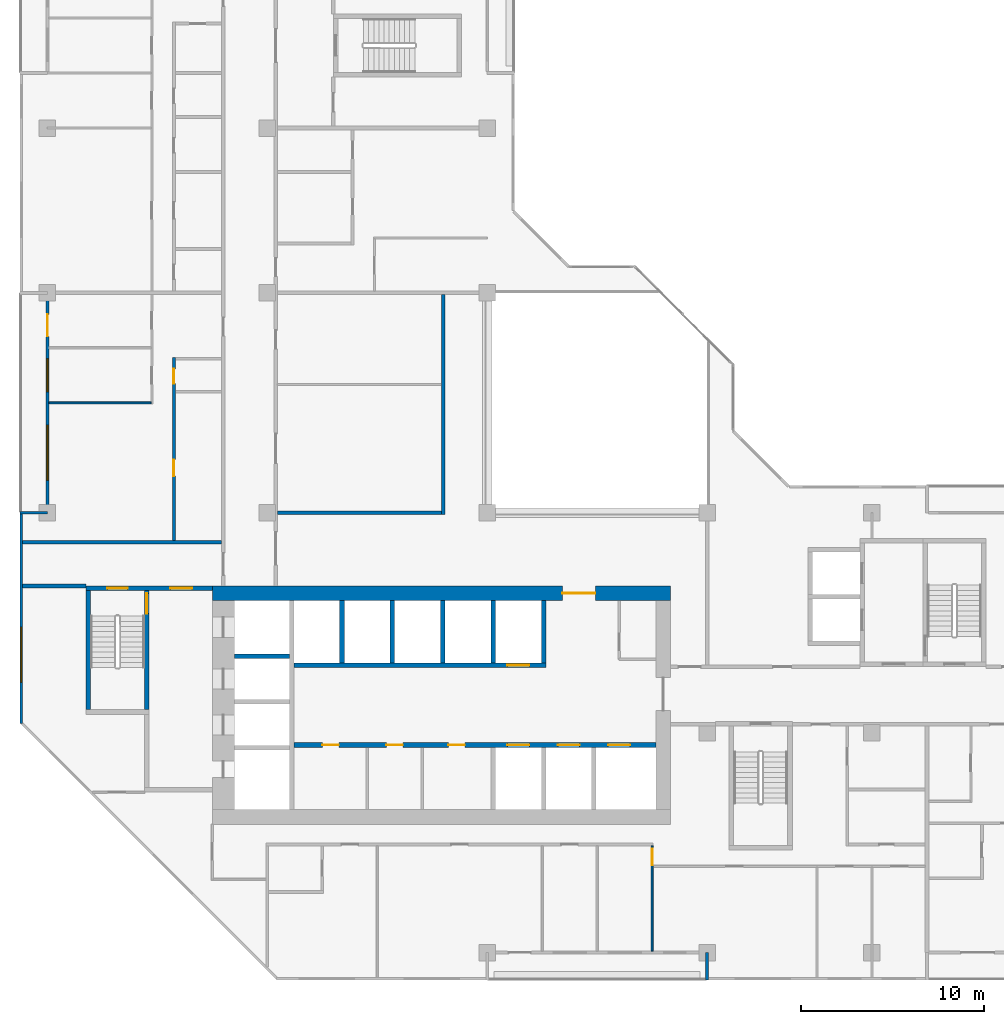
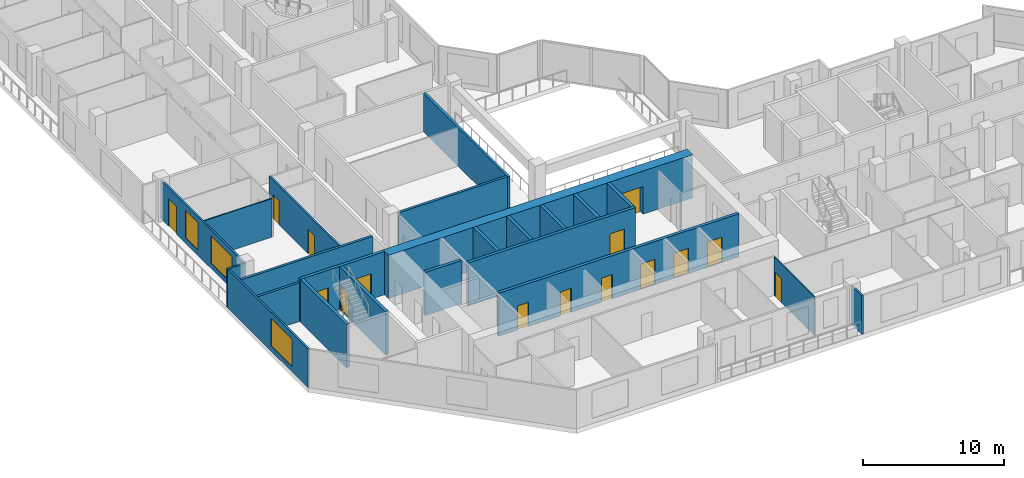
# One storey, part 5 of 15: 23 walls, 15 doors, 3 windows, 18 openings.
"""IFC4 building model written with IfcOpenShell, lengths in metres."""

from ifc_helpers import new_model, si_unit, direction, frame, frame_2d, origin, place, context, subcontext, project, spatial, rectangle, extrude, material, layer, layer_set, type_object, element, fill, save


model = new_model("IFC4")

# Units and contexts
model_context = context("Model", 3, precision=1e-05, world=origin(), true_north=direction((0.0, 1.0)))
body_context = subcontext(model_context, "Body", "Model", "MODEL_VIEW")
ifc_project = project(units=[si_unit("LENGTHUNIT", "METRE"), si_unit("AREAUNIT", "SQUARE_METRE"), si_unit("VOLUMEUNIT", "CUBIC_METRE"), si_unit("PLANEANGLEUNIT", "RADIAN"), si_unit("MASSUNIT", "GRAM", prefix="KILO")], contexts=[model_context])

# Site, building, storey
site_placement = place(None, origin())
site = spatial("IfcSite", under=ifc_project, at=site_placement, CompositionType="ELEMENT")
building_placement = place(site_placement, origin())
building = spatial("IfcBuilding", under=site, at=building_placement, Name="Chenar Terraces", CompositionType="ELEMENT")
storey_placement = place(building_placement, frame((0.0, 0.0, 191.14990234375)))
storey = spatial("IfcBuildingStorey", under=building, at=storey_placement, Name="L44", CompositionType="ELEMENT", Elevation=191.14990234375)

# Wall, openings, doors
ifc_material_1 = material(Name="Concrete C60/75", Category="concrete")
ifc_layer_1 = layer(ifc_material_1, 0.25)
ifc_layer_set_1 = layer_set([ifc_layer_1], Name="Concrete C60/75")
wall_type_1 = type_object("IfcWallType", Name="Core wall 250 Concrete C60/75", PredefinedType="SHEAR", material=ifc_layer_set_1)
wall_1_placement = place(storey_placement, frame((13.449951171875, 11.324951171875, 0.0), z_axis=(0.0, 0.0, 1.0), x_axis=(1.0, 0.0, 0.0)))
wall_1 = element("IfcWall", 1, at=wall_1_placement, inside=storey, type_object=wall_type_1, Name="Core wall SF L44", PredefinedType="SHEAR", context=body_context, shape_type="SweptSolid", body=[
    extrude(rectangle(XDim=19.75, YDim=0.25, at=frame_2d((9.875, 0.0))), origin(), (0.0, 0.0, 1.0), 3.75),
])
opening_1_placement = place(wall_1_placement, frame((11.64990234375, 0.0, 0.0)))
opening_1 = element("IfcOpeningElement", 2, at=opening_1_placement, cuts=wall_1, Name="Opening DL44-LD1", PredefinedType="OPENING", context=body_context, shape_type="SweptSolid", body=[
    extrude(rectangle(XDim=1.199951171875, YDim=2.199951171875, at=frame_2d((0.60009765625, 1.10009765625))), frame((0.0, 0.135009765625, 0.0), z_axis=(0.0, -1.0, 0.0), x_axis=(1.0, 0.0, 0.0)), (0.0, 0.0, 1.0), 0.27001953125),
])
opening_2_placement = place(wall_1_placement, frame((14.39990234375, 0.0, 0.0)))
opening_2 = element("IfcOpeningElement", 3, at=opening_2_placement, cuts=wall_1, Name="Opening DL44-LD2", PredefinedType="OPENING", context=body_context, shape_type="SweptSolid", body=[
    extrude(rectangle(XDim=1.199951171875, YDim=2.199951171875, at=frame_2d((0.60009765625, 1.10009765625))), frame((0.0, 0.135009765625, 0.0), z_axis=(0.0, -1.0, 0.0), x_axis=(1.0, 0.0, 0.0)), (0.0, 0.0, 1.0), 0.27001953125),
])
opening_3_placement = place(wall_1_placement, frame((17.14990234375, 0.0, 0.0)))
opening_3 = element("IfcOpeningElement", 4, at=opening_3_placement, cuts=wall_1, Name="Opening DL44-LD3", PredefinedType="OPENING", context=body_context, shape_type="SweptSolid", body=[
    extrude(rectangle(XDim=1.199951171875, YDim=2.199951171875, at=frame_2d((0.60009765625, 1.10009765625))), frame((0.0, 0.135009765625, 0.0), z_axis=(0.0, -1.0, 0.0), x_axis=(1.0, 0.0, 0.0)), (0.0, 0.0, 1.0), 0.27001953125),
])
opening_4_placement = place(wall_1_placement, frame((1.550048828125, 0.0, 0.0)))
opening_4 = element("IfcOpeningElement", 5, at=opening_4_placement, cuts=wall_1, Name="Opening DL44-C12", PredefinedType="OPENING", context=body_context, shape_type="SweptSolid", body=[
    extrude(rectangle(XDim=0.89990234375, YDim=2.10009765625, at=frame_2d((0.449951171875, 1.050048828125))), frame((0.0, 0.135009765625, 0.0), z_axis=(0.0, -1.0, 0.0), x_axis=(1.0, 0.0, 0.0)), (0.0, 0.0, 1.0), 0.27001953125),
])
opening_5_placement = place(wall_1_placement, frame((5.050048828125, 0.0, 0.0)))
opening_5 = element("IfcOpeningElement", 6, at=opening_5_placement, cuts=wall_1, Name="Opening DL44-C13", PredefinedType="OPENING", context=body_context, shape_type="SweptSolid", body=[
    extrude(rectangle(XDim=0.89990234375, YDim=2.10009765625, at=frame_2d((0.449951171875, 1.050048828125))), frame((0.0, 0.135009765625, 0.0), z_axis=(0.0, -1.0, 0.0), x_axis=(1.0, 0.0, 0.0)), (0.0, 0.0, 1.0), 0.27001953125),
])
opening_6_placement = place(wall_1_placement, frame((8.425048828125, 0.0, 0.0)))
opening_6 = element("IfcOpeningElement", 7, at=opening_6_placement, cuts=wall_1, Name="Opening DL44-C14", PredefinedType="OPENING", context=body_context, shape_type="SweptSolid", body=[
    extrude(rectangle(XDim=0.89990234375, YDim=2.10009765625, at=frame_2d((0.449951171875, 1.050048828125))), frame((0.0, 0.135009765625, 0.0), z_axis=(0.0, -1.0, 0.0), x_axis=(1.0, 0.0, 0.0)), (0.0, 0.0, 1.0), 0.27001953125),
])
ifc_material_2 = material(Name="Stainless steel", Category="steel")
door_type_1 = type_object("IfcDoorType", Name="Lift landing door 1200 x 2200 sliding", OperationType="DOUBLE_DOOR_SLIDING", PredefinedType="DOOR", material=ifc_material_2)
door_1_placement = place(opening_1_placement, origin())
door_1 = element("IfcDoor", 8, at=door_1_placement, inside=storey, type_object=door_type_1, Name="Landing door M1", OperationType="DOUBLE_DOOR_SLIDING", OverallHeight=2.199951171875, OverallWidth=1.199951171875, PredefinedType="DOOR", context=body_context, shape_type="SweptSolid", body=[
    extrude(rectangle(XDim=1.199951171875, YDim=2.199951171875, at=frame_2d((0.60009765625, 1.10009765625))), frame((0.0, 0.02490234375, 0.0), z_axis=(0.0, -1.0, 0.0), x_axis=(1.0, 0.0, 0.0)), (0.0, 0.0, 1.0), 0.050048828125),
])
fill(opening_1, door_1)
door_2_placement = place(opening_2_placement, origin())
door_2 = element("IfcDoor", 9, at=door_2_placement, inside=storey, type_object=door_type_1, Name="Landing door M2", OperationType="DOUBLE_DOOR_SLIDING", OverallHeight=2.199951171875, OverallWidth=1.199951171875, PredefinedType="DOOR", context=body_context, shape_type="SweptSolid", body=[
    extrude(rectangle(XDim=1.199951171875, YDim=2.199951171875, at=frame_2d((0.60009765625, 1.10009765625))), frame((0.0, 0.02490234375, 0.0), z_axis=(0.0, -1.0, 0.0), x_axis=(1.0, 0.0, 0.0)), (0.0, 0.0, 1.0), 0.050048828125),
])
fill(opening_2, door_2)
door_3_placement = place(opening_3_placement, origin())
door_3 = element("IfcDoor", 10, at=door_3_placement, inside=storey, type_object=door_type_1, Name="Landing door M3", OperationType="DOUBLE_DOOR_SLIDING", OverallHeight=2.199951171875, OverallWidth=1.199951171875, PredefinedType="DOOR", context=body_context, shape_type="SweptSolid", body=[
    extrude(rectangle(XDim=1.199951171875, YDim=2.199951171875, at=frame_2d((0.60009765625, 1.10009765625))), frame((0.0, 0.02490234375, 0.0), z_axis=(0.0, -1.0, 0.0), x_axis=(1.0, 0.0, 0.0)), (0.0, 0.0, 1.0), 0.050048828125),
])
fill(opening_3, door_3)
ifc_material_3 = material(Name="Steel-framed fire-resisting door leaf", Category="steel")
door_type_2 = type_object("IfcDoorType", Name="Riser fire door FD60 900 x 2100", OperationType="SINGLE_SWING_LEFT", PredefinedType="DOOR", material=ifc_material_3)
door_4_placement = place(opening_4_placement, frame((0.89990234375, 0.0, 0.0), z_axis=(0.0, 0.0, 1.0), x_axis=(-1.0, 0.0, 0.0)))
door_4 = element("IfcDoor", 11, at=door_4_placement, inside=storey, type_object=door_type_2, Name="Core room door DL44-C12", OperationType="SINGLE_SWING_LEFT", OverallHeight=2.10009765625, OverallWidth=0.89990234375, PredefinedType="DOOR", context=body_context, shape_type="SweptSolid", body=[
    extrude(rectangle(XDim=0.89990234375, YDim=2.10009765625, at=frame_2d((0.449951171875, 1.050048828125))), frame((0.0, 0.02490234375, 0.0), z_axis=(0.0, -1.0, 0.0), x_axis=(1.0, 0.0, 0.0)), (0.0, 0.0, 1.0), 0.050048828125),
])
fill(opening_4, door_4)
door_5_placement = place(opening_5_placement, frame((0.89990234375, 0.0, 0.0), z_axis=(0.0, 0.0, 1.0), x_axis=(-1.0, 0.0, 0.0)))
door_5 = element("IfcDoor", 12, at=door_5_placement, inside=storey, type_object=door_type_2, Name="Core room door DL44-C13", OperationType="SINGLE_SWING_LEFT", OverallHeight=2.10009765625, OverallWidth=0.89990234375, PredefinedType="DOOR", context=body_context, shape_type="SweptSolid", body=[
    extrude(rectangle(XDim=0.89990234375, YDim=2.10009765625, at=frame_2d((0.449951171875, 1.050048828125))), frame((0.0, 0.02490234375, 0.0), z_axis=(0.0, -1.0, 0.0), x_axis=(1.0, 0.0, 0.0)), (0.0, 0.0, 1.0), 0.050048828125),
])
fill(opening_5, door_5)
door_6_placement = place(opening_6_placement, frame((0.89990234375, 0.0, 0.0), z_axis=(0.0, 0.0, 1.0), x_axis=(-1.0, 0.0, 0.0)))
door_6 = element("IfcDoor", 13, at=door_6_placement, inside=storey, type_object=door_type_2, Name="Core room door DL44-C14", OperationType="SINGLE_SWING_RIGHT", OverallHeight=2.10009765625, OverallWidth=0.89990234375, PredefinedType="DOOR", context=body_context, shape_type="SweptSolid", body=[
    extrude(rectangle(XDim=0.89990234375, YDim=2.10009765625, at=frame_2d((0.449951171875, 1.050048828125))), frame((0.0, 0.02490234375, 0.0), z_axis=(0.0, -1.0, 0.0), x_axis=(1.0, 0.0, 0.0)), (0.0, 0.0, 1.0), 0.050048828125),
])
fill(opening_6, door_6)

# Wall, opening, door
wall_2_placement = place(storey_placement, frame((13.449951171875, 15.675048828125, 0.0), z_axis=(0.0, 0.0, 1.0), x_axis=(1.0, 0.0, 0.0)))
wall_2 = element("IfcWall", 14, at=wall_2_placement, inside=storey, type_object=wall_type_1, Name="Core wall NF L44", PredefinedType="SHEAR", context=body_context, shape_type="SweptSolid", body=[
    extrude(rectangle(XDim=13.75, YDim=0.25, at=frame_2d((6.875, 0.0))), origin(), (0.0, 0.0, 1.0), 3.75),
])
opening_7_placement = place(wall_2_placement, frame((11.64990234375, 0.0, 0.0)))
opening_7 = element("IfcOpeningElement", 15, at=opening_7_placement, cuts=wall_2, Name="Opening DL44-LD4", PredefinedType="OPENING", context=body_context, shape_type="SweptSolid", body=[
    extrude(rectangle(XDim=1.199951171875, YDim=2.199951171875, at=frame_2d((0.60009765625, 1.10009765625))), frame((0.0, 0.135009765625, 0.0), z_axis=(0.0, -1.0, 0.0), x_axis=(1.0, 0.0, 0.0)), (0.0, 0.0, 1.0), 0.27001953125),
])
door_7_placement = place(opening_7_placement, origin())
door_7 = element("IfcDoor", 16, at=door_7_placement, inside=storey, type_object=door_type_1, Name="Landing door M4", OperationType="DOUBLE_DOOR_SLIDING", OverallHeight=2.199951171875, OverallWidth=1.199951171875, PredefinedType="DOOR", context=body_context, shape_type="SweptSolid", body=[
    extrude(rectangle(XDim=1.199951171875, YDim=2.199951171875, at=frame_2d((0.60009765625, 1.10009765625))), frame((0.0, 0.02490234375, 0.0), z_axis=(0.0, -1.0, 0.0), x_axis=(1.0, 0.0, 0.0)), (0.0, 0.0, 1.0), 0.050048828125),
])
fill(opening_7, door_7)

# Walls
wall_3_placement = place(storey_placement, frame((10.199951171875, 16.175048828125, 0.0), z_axis=(0.0, 0.0, 1.0), x_axis=(1.0, 0.0, 0.0)))
element("IfcWall", 17, at=wall_3_placement, inside=storey, type_object=wall_type_1, Name="Core wall HW2 L44", PredefinedType="SHEAR", context=body_context, shape_type="SweptSolid", body=[
    extrude(rectangle(XDim=3.0, YDim=0.25, at=frame_2d((1.5, 0.0))), origin(), (0.0, 0.0, 1.0), 3.75),
])
for number, where, z_axis, x_axis, name in (
    (18, (16.074951171875, 15.800048828125, 0.0), (0.0, 0.0, 1.0), (0.0, 1.0, 0.0), "Core wall NS0 L44"),
    (19, (18.824951171875, 15.800048828125, 0.0), (0.0, 0.0, 1.0), (0.0, 1.0, 0.0), "Core wall NS1 L44"),
    (20, (21.574951171875, 15.800048828125, 0.0), (0.0, 0.0, 1.0), (0.0, 1.0, 0.0), "Core wall NS2 L44"),
    (21, (24.324951171875, 15.800048828125, 0.0), (0.0, 0.0, 1.0), (0.0, 1.0, 0.0), "Core wall NS3 L44"),
    (22, (27.074951171875, 15.800048828125, 0.0), (0.0, 0.0, 1.0), (0.0, 1.0, 0.0), "Core wall NE L44"),
):
    element("IfcWall", number, at=place(storey_placement, frame(where, z_axis=z_axis, x_axis=x_axis)), inside=storey, type_object=wall_type_1, Name=name, PredefinedType="SHEAR", context=body_context, shape_type="SweptSolid", body=[
        extrude(rectangle(XDim=3.39990234375, YDim=0.25, at=frame_2d((1.699951171875, 0.0))), origin(), (0.0, 0.0, 1.0), 3.75),
    ])

# Wall, openings, doors
wall_4_placement = place(storey_placement, frame((2.10009765625, 19.875, 0.0), z_axis=(0.0, 0.0, 1.0), x_axis=(1.0, 0.0, 0.0)))
wall_4 = element("IfcWall", 23, at=wall_4_placement, inside=storey, type_object=wall_type_1, Name="Core wall A_N L44", PredefinedType="SHEAR", context=body_context, shape_type="SweptSolid", body=[
    extrude(rectangle(XDim=6.89990234375, YDim=0.25, at=frame_2d((3.449951171875, 0.0))), origin(), (0.0, 0.0, 1.0), 3.75),
])
opening_8_placement = place(wall_4_placement, frame((1.175048828125, 0.0, 0.0)))
opening_8 = element("IfcOpeningElement", 24, at=opening_8_placement, cuts=wall_4, Name="Opening DL44-C5", PredefinedType="OPENING", context=body_context, shape_type="SweptSolid", body=[
    extrude(rectangle(XDim=1.10009765625, YDim=2.199951171875, at=frame_2d((0.550048828125, 1.10009765625))), frame((0.0, 0.135009765625, 0.0), z_axis=(0.0, -1.0, 0.0), x_axis=(1.0, 0.0, 0.0)), (0.0, 0.0, 1.0), 0.27001953125),
])
opening_9_placement = place(wall_4_placement, frame((4.60009765625, 0.0, 0.0)))
opening_9 = element("IfcOpeningElement", 25, at=opening_9_placement, cuts=wall_4, Name="Opening DL44-C6", PredefinedType="OPENING", context=body_context, shape_type="SweptSolid", body=[
    extrude(rectangle(XDim=1.199951171875, YDim=2.199951171875, at=frame_2d((0.60009765625, 1.10009765625))), frame((0.0, 0.135009765625, 0.0), z_axis=(0.0, -1.0, 0.0), x_axis=(1.0, 0.0, 0.0)), (0.0, 0.0, 1.0), 0.27001953125),
])
ifc_material_4 = material(Name="Steel-framed fire-resisting door leaf", Category="steel")
door_type_3 = type_object("IfcDoorType", Name="Lobby fire door FD60 1200 x 2200", OperationType="SINGLE_SWING_LEFT", PredefinedType="DOOR", material=ifc_material_4)
door_8_placement = place(opening_9_placement, frame((1.199951171875, 0.0, 0.0), z_axis=(0.0, 0.0, 1.0), x_axis=(-1.0, 0.0, 0.0)))
door_8 = element("IfcDoor", 26, at=door_8_placement, inside=storey, type_object=door_type_3, Name="Core door DL44-C6", OperationType="SINGLE_SWING_LEFT", OverallHeight=2.199951171875, OverallWidth=1.199951171875, PredefinedType="DOOR", context=body_context, shape_type="SweptSolid", body=[
    extrude(rectangle(XDim=1.199951171875, YDim=2.199951171875, at=frame_2d((0.60009765625, 1.10009765625))), frame((0.0, 0.02490234375, 0.0), z_axis=(0.0, -1.0, 0.0), x_axis=(1.0, 0.0, 0.0)), (0.0, 0.0, 1.0), 0.050048828125),
])
fill(opening_9, door_8)
ifc_material_5 = material(Name="Steel-framed fire-resisting door leaf", Category="steel")
door_type_4 = type_object("IfcDoorType", Name="Stair fire door FD60 1100 x 2200", OperationType="SINGLE_SWING_LEFT", PredefinedType="DOOR", material=ifc_material_5)
door_9_placement = place(opening_8_placement, origin())
door_9 = element("IfcDoor", 27, at=door_9_placement, inside=storey, type_object=door_type_4, Name="Stair door DL44-C5", OperationType="SINGLE_SWING_LEFT", OverallHeight=2.199951171875, OverallWidth=1.10009765625, PredefinedType="DOOR", context=body_context, shape_type="SweptSolid", body=[
    extrude(rectangle(XDim=1.10009765625, YDim=2.199951171875, at=frame_2d((0.550048828125, 1.10009765625))), frame((0.0, 0.02490234375, 0.0), z_axis=(0.0, -1.0, 0.0), x_axis=(1.0, 0.0, 0.0)), (0.0, 0.0, 1.0), 0.050048828125),
])
fill(opening_8, door_9)

# Wall
wall_5_placement = place(storey_placement, frame((2.22509765625, 13.25, 0.0), z_axis=(0.0, 0.0, 1.0), x_axis=(0.0, 1.0, 0.0)))
element("IfcWall", 28, at=wall_5_placement, inside=storey, type_object=wall_type_1, Name="Core wall ST1_W L44", PredefinedType="SHEAR", context=body_context, shape_type="SweptSolid", body=[
    extrude(rectangle(XDim=6.5, YDim=0.25, at=frame_2d((3.25, 0.0))), origin(), (0.0, 0.0, 1.0), 3.75),
])

# Wall, opening, door
wall_6_placement = place(storey_placement, frame((5.425048828125, 13.25, 0.0), z_axis=(0.0, 0.0, 1.0), x_axis=(0.0, 1.0, 0.0)))
wall_6 = element("IfcWall", 29, at=wall_6_placement, inside=storey, type_object=wall_type_1, Name="Core wall ST1_E L44", PredefinedType="SHEAR", context=body_context, shape_type="SweptSolid", body=[
    extrude(rectangle(XDim=6.5, YDim=0.25, at=frame_2d((3.25, 0.0))), origin(), (0.0, 0.0, 1.0), 3.75),
])
opening_10_placement = place(wall_6_placement, frame((5.25, 0.0, 0.0)))
opening_10 = element("IfcOpeningElement", 30, at=opening_10_placement, cuts=wall_6, Name="Opening DL44-C3", PredefinedType="OPENING", context=body_context, shape_type="SweptSolid", body=[
    extrude(rectangle(XDim=1.10009765625, YDim=2.199951171875, at=frame_2d((0.550048828125, 1.10009765625))), frame((0.0, 0.135009765625, 0.0), z_axis=(0.0, -1.0, 0.0), x_axis=(1.0, 0.0, 0.0)), (0.0, 0.0, 1.0), 0.27001953125),
])
door_10_placement = place(opening_10_placement, origin())
door_10 = element("IfcDoor", 31, at=door_10_placement, inside=storey, type_object=door_type_4, Name="Stair door DL44-C3", OperationType="SINGLE_SWING_RIGHT", OverallHeight=2.199951171875, OverallWidth=1.10009765625, PredefinedType="DOOR", context=body_context, shape_type="SweptSolid", body=[
    extrude(rectangle(XDim=1.10009765625, YDim=2.199951171875, at=frame_2d((0.550048828125, 1.10009765625))), frame((0.0, 0.02490234375, 0.0), z_axis=(0.0, -1.0, 0.0), x_axis=(1.0, 0.0, 0.0)), (0.0, 0.0, 1.0), 0.050048828125),
])
fill(opening_10, door_10)

ifc_material_6 = material(Name="Concrete C60/75", Category="concrete")
ifc_layer_2 = layer(ifc_material_6, 0.800048828125)
ifc_layer_set_2 = layer_set([ifc_layer_2], Name="Concrete C60/75")
wall_type_2 = type_object("IfcWallType", Name="Core wall 800 Concrete C60/75", PredefinedType="SHEAR", material=ifc_layer_set_2)
wall_7_placement = place(storey_placement, frame((9.0, 19.60009765625, 0.0), z_axis=(0.0, 0.0, 1.0), x_axis=(1.0, 0.0, 0.0)))
wall_7 = element("IfcWall", 32, at=wall_7_placement, inside=storey, type_object=wall_type_2, Name="Core wall N L44", PredefinedType="SHEAR", context=body_context, shape_type="SweptSolid", body=[
    extrude(rectangle(XDim=25.0, YDim=0.800048828125, at=frame_2d((12.5, 0.0))), origin(), (0.0, 0.0, 1.0), 3.75),
])
opening_11_placement = place(wall_7_placement, frame((19.10009765625, 0.0, 0.0)))
opening_11 = element("IfcOpeningElement", 33, at=opening_11_placement, cuts=wall_7, Name="Opening DL44-C2", PredefinedType="OPENING", context=body_context, shape_type="SweptSolid", body=[
    extrude(rectangle(XDim=1.800048828125, YDim=2.39990234375, at=frame_2d((0.89990234375, 1.199951171875))), frame((0.0, 0.409912109375, 0.0), z_axis=(0.0, -1.0, 0.0), x_axis=(1.0, 0.0, 0.0)), (0.0, 0.0, 1.0), 0.820068359375),
])
ifc_material_7 = material(Name="Steel-framed fire-resisting door leaf", Category="steel")
door_type_5 = type_object("IfcDoorType", Name="Core entrance double fire door FD60 1800 x 2400", OperationType="DOUBLE_DOOR_SINGLE_SWING", PredefinedType="DOOR", material=ifc_material_7)
door_11_placement = place(opening_11_placement, frame((1.800048828125, 0.0, 0.0), z_axis=(0.0, 0.0, 1.0), x_axis=(-1.0, 0.0, 0.0)))
door_11 = element("IfcDoor", 34, at=door_11_placement, inside=storey, type_object=door_type_5, Name="Core door DL44-C2", OperationType="DOUBLE_DOOR_SINGLE_SWING", OverallHeight=2.39990234375, OverallWidth=1.800048828125, PredefinedType="DOOR", context=body_context, shape_type="SweptSolid", body=[
    extrude(rectangle(XDim=1.800048828125, YDim=2.39990234375, at=frame_2d((0.89990234375, 1.199951171875))), frame((0.0, 0.02490234375, 0.0), z_axis=(0.0, -1.0, 0.0), x_axis=(1.0, 0.0, 0.0)), (0.0, 0.0, 1.0), 0.050048828125),
])
fill(opening_11, door_11)

# Walls
ifc_material_8 = material(Name="Gypsum board on steel studs with fire boards", Category="steel")
ifc_layer_3 = layer(ifc_material_8, 0.199951171875)
ifc_layer_set_3 = layer_set([ifc_layer_3], Name="Gypsum board on steel studs with fire boards")
wall_type_3 = type_object("IfcWallType", Name="Corridor wall 200", PredefinedType="PARTITIONING", material=ifc_layer_set_3)
wall_8_placement = place(storey_placement, frame((-1.35009765625, 20.0, 0.0), z_axis=(0.0, 0.0, 1.0), x_axis=(1.0, 0.0, 0.0)))
element("IfcWall", 35, at=wall_8_placement, inside=storey, type_object=wall_type_3, Name="Partition L44-001", PredefinedType="PARTITIONING", context=body_context, shape_type="SweptSolid", body=[
    extrude(rectangle(XDim=3.4501953125, YDim=0.199951171875, at=frame_2d((1.72509765625, 0.0))), origin(), (0.0, 0.0, 1.0), 3.35009765625),
])
wall_9_placement = place(storey_placement, frame((-1.35009765625, 22.39990234375, 0.0), z_axis=(0.0, 0.0, 1.0), x_axis=(1.0, 0.0, 0.0)))
element("IfcWall", 36, at=wall_9_placement, inside=storey, type_object=wall_type_3, Name="Partition L44-002", PredefinedType="PARTITIONING", context=body_context, shape_type="SweptSolid", body=[
    extrude(rectangle(XDim=10.85009765625, YDim=0.199951171875, at=frame_2d((5.425048828125, 0.0))), origin(), (0.0, 0.0, 1.0), 3.35009765625),
])
wall_10_placement = place(storey_placement, frame((12.550048828125, 24.0, 0.0), z_axis=(0.0, 0.0, 1.0), x_axis=(1.0, 0.0, 0.0)))
element("IfcWall", 37, at=wall_10_placement, inside=storey, type_object=wall_type_3, Name="Partition L44-034", PredefinedType="PARTITIONING", context=body_context, shape_type="SweptSolid", body=[
    extrude(rectangle(XDim=8.949951171875, YDim=0.199951171875, at=frame_2d((4.47509765625, 0.0))), origin(), (0.0, 0.0, 1.0), 3.35009765625),
])
wall_11_placement = place(storey_placement, frame((21.60009765625, 23.89990234375, 0.0), z_axis=(0.0, 0.0, 1.0), x_axis=(0.0, 1.0, 0.0)))
element("IfcWall", 38, at=wall_11_placement, inside=storey, type_object=wall_type_3, Name="Partition L44-054", PredefinedType="PARTITIONING", context=body_context, shape_type="SweptSolid", body=[
    extrude(rectangle(XDim=12.0, YDim=0.199951171875, at=frame_2d((6.0, 0.0))), origin(), (0.0, 0.0, 1.0), 3.35009765625),
])

# Wall, opening, window
ifc_material_9 = material(Name="Aluminium framed glazing", Category="aluminium")
ifc_layer_4 = layer(ifc_material_9, 0.14990234375)
ifc_layer_set_4 = layer_set([ifc_layer_4], Name="Aluminium framed glazing")
wall_type_4 = type_object("IfcWallType", Name="Glazed flush facade wall 150", PredefinedType="SOLIDWALL", material=ifc_layer_set_4)
wall_12_placement = place(storey_placement, frame((-1.425048828125, 23.925048828125, 0.0), z_axis=(0.0, 0.0, 1.0), x_axis=(0.0, -1.0, 0.0)))
wall_12 = element("IfcWall", 39, at=wall_12_placement, inside=storey, type_object=wall_type_4, Name="Glazed flush facade wall", PredefinedType="SOLIDWALL", context=body_context, shape_type="SweptSolid", body=[
    extrude(rectangle(XDim=11.425048828125, YDim=0.14990234375, at=frame_2d((5.71240234375, 0.0))), origin(), (0.0, 0.0, 1.0), 3.35009765625),
])
opening_12_placement = place(wall_12_placement, frame((6.175048828125, 0.0, 0.449951171875)))
opening_12 = element("IfcOpeningElement", 40, at=opening_12_placement, cuts=wall_12, Name="Opening W300x240", PredefinedType="OPENING", context=body_context, shape_type="SweptSolid", body=[
    extrude(rectangle(XDim=3.0, YDim=2.39990234375, at=frame_2d((1.5, 1.199951171875))), frame((0.0, 0.0849609375, 0.0), z_axis=(0.0, -1.0, 0.0), x_axis=(1.0, 0.0, 0.0)), (0.0, 0.0, 1.0), 0.169921875),
])
ifc_material_10 = material(Name="Low emissivity double glazing, aluminium frame", Category="aluminium")
window_type_1 = type_object("IfcWindowType", Name="Fixed light 3000 x 2400", PartitioningType="SINGLE_PANEL", PredefinedType="WINDOW", material=ifc_material_10)
window_1_placement = place(opening_12_placement, origin())
window_1 = element("IfcWindow", 41, at=window_1_placement, inside=storey, type_object=window_type_1, Name="Window", OverallHeight=2.39990234375, OverallWidth=3.0, PartitioningType="SINGLE_PANEL", PredefinedType="WINDOW", context=body_context, shape_type="SweptSolid", body=[
    extrude(rectangle(XDim=3.0, YDim=2.39990234375, at=frame_2d((1.5, 1.199951171875))), frame((0.0, 0.030029296875, 0.0), z_axis=(0.0, -1.0, 0.0), x_axis=(1.0, 0.0, 0.0)), (0.0, 0.0, 1.0), 0.06005859375),
])
fill(opening_12, window_1)

# Wall, openings, windows, door
ifc_material_11 = material(Name="Aluminium framed glazing", Category="aluminium")
ifc_layer_5 = layer(ifc_material_11, 0.14990234375)
ifc_layer_set_5 = layer_set([ifc_layer_5], Name="Aluminium framed glazing")
wall_type_5 = type_object("IfcWallType", Name="Glazed loggia back wall 150", PredefinedType="SOLIDWALL", material=ifc_layer_set_5)
wall_13_placement = place(storey_placement, frame((0.0, 35.925048828125, 0.0), z_axis=(0.0, 0.0, 1.0), x_axis=(0.0, -1.0, 0.0)))
wall_13 = element("IfcWall", 42, at=wall_13_placement, inside=storey, type_object=wall_type_5, Name="Glazed loggia back wall", PredefinedType="SOLIDWALL", context=body_context, shape_type="SweptSolid", body=[
    extrude(rectangle(XDim=11.85009765625, YDim=0.14990234375, at=frame_2d((5.925048828125, 0.0))), origin(), (0.0, 0.0, 1.0), 3.35009765625),
])
opening_13_placement = place(wall_13_placement, frame((1.10009765625, 0.0, 0.0)))
opening_13 = element("IfcOpeningElement", 43, at=opening_13_placement, cuts=wall_13, Name="Opening DL44-G5", PredefinedType="OPENING", context=body_context, shape_type="SweptSolid", body=[
    extrude(rectangle(XDim=1.199951171875, YDim=2.39990234375, at=frame_2d((0.60009765625, 1.199951171875))), frame((0.0, 0.0849609375, 0.0), z_axis=(0.0, -1.0, 0.0), x_axis=(1.0, 0.0, 0.0)), (0.0, 0.0, 1.0), 0.169921875),
])
opening_14_placement = place(wall_13_placement, frame((3.52490234375, 0.0, 0.449951171875)))
opening_14 = element("IfcOpeningElement", 44, at=opening_14_placement, cuts=wall_13, Name="Opening W180x240", PredefinedType="OPENING", context=body_context, shape_type="SweptSolid", body=[
    extrude(rectangle(XDim=1.800048828125, YDim=2.39990234375, at=frame_2d((0.89990234375, 1.199951171875))), frame((0.0, 0.0849609375, 0.0), z_axis=(0.0, -1.0, 0.0), x_axis=(1.0, 0.0, 0.0)), (0.0, 0.0, 1.0), 0.169921875),
])
opening_15_placement = place(wall_13_placement, frame((7.14990234375, 0.0, 0.449951171875)))
opening_15 = element("IfcOpeningElement", 45, at=opening_15_placement, cuts=wall_13, Name="Opening W300x240", PredefinedType="OPENING", context=body_context, shape_type="SweptSolid", body=[
    extrude(rectangle(XDim=3.0, YDim=2.39990234375, at=frame_2d((1.5, 1.199951171875))), frame((0.0, 0.0849609375, 0.0), z_axis=(0.0, -1.0, 0.0), x_axis=(1.0, 0.0, 0.0)), (0.0, 0.0, 1.0), 0.169921875),
])
ifc_material_12 = material(Name="Low emissivity double glazing, aluminium frame", Category="aluminium")
window_type_2 = type_object("IfcWindowType", Name="Fixed light 1800 x 2400", PartitioningType="SINGLE_PANEL", PredefinedType="WINDOW", material=ifc_material_12)
window_2_placement = place(opening_14_placement, origin())
window_2 = element("IfcWindow", 46, at=window_2_placement, inside=storey, type_object=window_type_2, Name="Window", OverallHeight=2.39990234375, OverallWidth=1.800048828125, PartitioningType="SINGLE_PANEL", PredefinedType="WINDOW", context=body_context, shape_type="SweptSolid", body=[
    extrude(rectangle(XDim=1.800048828125, YDim=2.39990234375, at=frame_2d((0.89990234375, 1.199951171875))), frame((0.0, 0.030029296875, 0.0), z_axis=(0.0, -1.0, 0.0), x_axis=(1.0, 0.0, 0.0)), (0.0, 0.0, 1.0), 0.06005859375),
])
fill(opening_14, window_2)
window_3_placement = place(opening_15_placement, origin())
window_3 = element("IfcWindow", 47, at=window_3_placement, inside=storey, type_object=window_type_1, Name="Window", OverallHeight=2.39990234375, OverallWidth=3.0, PartitioningType="SINGLE_PANEL", PredefinedType="WINDOW", context=body_context, shape_type="SweptSolid", body=[
    extrude(rectangle(XDim=3.0, YDim=2.39990234375, at=frame_2d((1.5, 1.199951171875))), frame((0.0, 0.030029296875, 0.0), z_axis=(0.0, -1.0, 0.0), x_axis=(1.0, 0.0, 0.0)), (0.0, 0.0, 1.0), 0.06005859375),
])
fill(opening_15, window_3)
ifc_material_13 = material(Name="Low emissivity double glazing, aluminium frame", Category="aluminium")
door_type_6 = type_object("IfcDoorType", Name="Loggia glazed double door 1200 x 2400", OperationType="DOUBLE_DOOR_SINGLE_SWING", PredefinedType="DOOR", material=ifc_material_13)
door_12_placement = place(opening_13_placement, frame((1.199951171875, 0.0, 0.0), z_axis=(0.0, 0.0, 1.0), x_axis=(-1.0, 0.0, 0.0)))
door_12 = element("IfcDoor", 48, at=door_12_placement, inside=storey, type_object=door_type_6, Name="Loggia glazed door", OperationType="DOUBLE_DOOR_SINGLE_SWING", OverallHeight=2.39990234375, OverallWidth=1.199951171875, PredefinedType="DOOR", context=body_context, shape_type="SweptSolid", body=[
    extrude(rectangle(XDim=1.199951171875, YDim=2.39990234375, at=frame_2d((0.60009765625, 1.199951171875))), frame((0.0, 0.02490234375, 0.0), z_axis=(0.0, -1.0, 0.0), x_axis=(1.0, 0.0, 0.0)), (0.0, 0.0, 1.0), 0.050048828125),
])
fill(opening_13, door_12)

# Wall
ifc_material_14 = material(Name="Gypsum board on steel studs", Category="steel")
ifc_layer_6 = layer(ifc_material_14, 0.10009765625)
ifc_layer_set_6 = layer_set([ifc_layer_6], Name="Gypsum board on steel studs")
wall_type_6 = type_object("IfcWallType", Name="Gypsum partition 100", PredefinedType="PARTITIONING", material=ifc_layer_set_6)
wall_14_placement = place(storey_placement, frame((0.073974609375, 30.0, 0.0), z_axis=(0.0, 0.0, 1.0), x_axis=(1.0, 0.0, 0.0)))
element("IfcWall", 49, at=wall_14_placement, inside=storey, type_object=wall_type_6, Name="Partition L44-006", PredefinedType="PARTITIONING", context=body_context, shape_type="SweptSolid", body=[
    extrude(rectangle(XDim=5.575927734375, YDim=0.10009765625, at=frame_2d((2.7880859375, 0.0))), origin(), (0.0, 0.0, 1.0), 3.35009765625),
])

# Wall, opening, door
wall_15_placement = place(storey_placement, frame((33.0, 0.073974609375, 0.0), z_axis=(0.0, 0.0, 1.0), x_axis=(0.0, 1.0, 0.0)))
wall_15 = element("IfcWall", 50, at=wall_15_placement, inside=storey, type_object=wall_type_6, Name="Partition L44-057", PredefinedType="PARTITIONING", context=body_context, shape_type="SweptSolid", body=[
    extrude(rectangle(XDim=5.7509765625, YDim=0.10009765625, at=frame_2d((2.87548828125, 0.0))), origin(), (0.0, 0.0, 1.0), 3.35009765625),
])
opening_16_placement = place(wall_15_placement, frame((4.700927734375, 0.0, 0.0)))
opening_16 = element("IfcOpeningElement", 51, at=opening_16_placement, cuts=wall_15, Name="Opening DL44-46", PredefinedType="OPENING", context=body_context, shape_type="SweptSolid", body=[
    extrude(rectangle(XDim=0.89990234375, YDim=2.10009765625, at=frame_2d((0.449951171875, 1.050048828125))), frame((0.0, 0.06005859375, 0.0), z_axis=(0.0, -1.0, 0.0), x_axis=(1.0, 0.0, 0.0)), (0.0, 0.0, 1.0), 0.1201171875),
])
ifc_material_15 = material(Name="Veneered timber door leaf", Category="wood")
door_type_7 = type_object("IfcDoorType", Name="Door 900 x 2100", OperationType="SINGLE_SWING_LEFT", PredefinedType="DOOR", material=ifc_material_15)
door_13_placement = place(opening_16_placement, origin())
door_13 = element("IfcDoor", 52, at=door_13_placement, inside=storey, type_object=door_type_7, Name="Door DL44-46", OperationType="SINGLE_SWING_RIGHT", OverallHeight=2.10009765625, OverallWidth=0.89990234375, PredefinedType="DOOR", context=body_context, shape_type="SweptSolid", body=[
    extrude(rectangle(XDim=0.89990234375, YDim=2.10009765625, at=frame_2d((0.449951171875, 1.050048828125))), frame((0.0, 0.02490234375, 0.0), z_axis=(0.0, -1.0, 0.0), x_axis=(1.0, 0.0, 0.0)), (0.0, 0.0, 1.0), 0.050048828125),
])
fill(opening_16, door_13)

# Walls
ifc_material_16 = material(Name="Terracotta cladding on insulated backing", Category="masonry")
ifc_layer_7 = layer(ifc_material_16, 0.14990234375)
ifc_layer_set_7 = layer_set([ifc_layer_7], Name="Terracotta cladding on insulated backing")
wall_type_7 = type_object("IfcWallType", Name="Loggia return wall 150", PredefinedType="SOLIDWALL", material=ifc_layer_set_7)
for number, where, z_axis, x_axis, name in (
    (53, (-1.5, 24.0, 0.0), (0.0, 0.0, 1.0), (1.0, 0.0, 0.0), "Loggia return wall"),
    (54, (36.0, -1.5, 0.0), (0.0, 0.0, 1.0), (0.0, 1.0, 0.0), "Loggia return wall"),
):
    element("IfcWall", number, at=place(storey_placement, frame(where, z_axis=z_axis, x_axis=x_axis)), inside=storey, type_object=wall_type_7, Name=name, PredefinedType="SOLIDWALL", context=body_context, shape_type="SweptSolid", body=[
        extrude(rectangle(XDim=1.5, YDim=0.14990234375, at=frame_2d((0.75, 0.0))), origin(), (0.0, 0.0, 1.0), 3.35009765625),
    ])

# Wall, openings, doors
ifc_material_17 = material(Name="Moisture-resistant gypsum board on steel studs", Category="steel")
ifc_layer_8 = layer(ifc_material_17, 0.14990234375)
ifc_layer_set_8 = layer_set([ifc_layer_8], Name="Moisture-resistant gypsum board on steel studs")
wall_type_8 = type_object("IfcWallType", Name="Wet-room partition 150", PredefinedType="PARTITIONING", material=ifc_layer_set_8)
wall_16_placement = place(storey_placement, frame((6.89990234375, 22.5, 0.0), z_axis=(0.0, 0.0, 1.0), x_axis=(0.0, 1.0, 0.0)))
wall_16 = element("IfcWall", 55, at=wall_16_placement, inside=storey, type_object=wall_type_8, Name="Partition L44-015", PredefinedType="PARTITIONING", context=body_context, shape_type="SweptSolid", body=[
    extrude(rectangle(XDim=9.97509765625, YDim=0.14990234375, at=frame_2d((4.987548828125, 0.0))), origin(), (0.0, 0.0, 1.0), 3.35009765625),
])
opening_17_placement = place(wall_16_placement, frame((8.550048828125, 0.0, 0.0)))
opening_17 = element("IfcOpeningElement", 56, at=opening_17_placement, cuts=wall_16, Name="Opening DL44-57", PredefinedType="OPENING", context=body_context, shape_type="SweptSolid", body=[
    extrude(rectangle(XDim=0.800048828125, YDim=2.10009765625, at=frame_2d((0.39990234375, 1.050048828125))), frame((0.0, 0.0849609375, 0.0), z_axis=(0.0, -1.0, 0.0), x_axis=(1.0, 0.0, 0.0)), (0.0, 0.0, 1.0), 0.169921875),
])
opening_18_placement = place(wall_16_placement, frame((3.5, 0.0, 0.0)))
opening_18 = element("IfcOpeningElement", 57, at=opening_18_placement, cuts=wall_16, Name="Opening DL44-60", PredefinedType="OPENING", context=body_context, shape_type="SweptSolid", body=[
    extrude(rectangle(XDim=0.89990234375, YDim=2.10009765625, at=frame_2d((0.449951171875, 1.050048828125))), frame((0.0, 0.0849609375, 0.0), z_axis=(0.0, -1.0, 0.0), x_axis=(1.0, 0.0, 0.0)), (0.0, 0.0, 1.0), 0.169921875),
])
ifc_material_18 = material(Name="Veneered timber door leaf", Category="wood")
door_type_8 = type_object("IfcDoorType", Name="Door 800 x 2100", OperationType="SINGLE_SWING_LEFT", PredefinedType="DOOR", material=ifc_material_18)
door_14_placement = place(opening_17_placement, frame((0.800048828125, 0.0, 0.0), z_axis=(0.0, 0.0, 1.0), x_axis=(-1.0, 0.0, 0.0)))
door_14 = element("IfcDoor", 58, at=door_14_placement, inside=storey, type_object=door_type_8, Name="Door DL44-57", OperationType="SINGLE_SWING_RIGHT", OverallHeight=2.10009765625, OverallWidth=0.800048828125, PredefinedType="DOOR", context=body_context, shape_type="SweptSolid", body=[
    extrude(rectangle(XDim=0.800048828125, YDim=2.10009765625, at=frame_2d((0.39990234375, 1.050048828125))), frame((0.0, 0.02490234375, 0.0), z_axis=(0.0, -1.0, 0.0), x_axis=(1.0, 0.0, 0.0)), (0.0, 0.0, 1.0), 0.050048828125),
])
fill(opening_17, door_14)
door_15_placement = place(opening_18_placement, frame((0.89990234375, 0.0, 0.0), z_axis=(0.0, 0.0, 1.0), x_axis=(-1.0, 0.0, 0.0)))
door_15 = element("IfcDoor", 59, at=door_15_placement, inside=storey, type_object=door_type_7, Name="Door DL44-60", OperationType="SINGLE_SWING_RIGHT", OverallHeight=2.10009765625, OverallWidth=0.89990234375, PredefinedType="DOOR", context=body_context, shape_type="SweptSolid", body=[
    extrude(rectangle(XDim=0.89990234375, YDim=2.10009765625, at=frame_2d((0.449951171875, 1.050048828125))), frame((0.0, 0.02490234375, 0.0), z_axis=(0.0, -1.0, 0.0), x_axis=(1.0, 0.0, 0.0)), (0.0, 0.0, 1.0), 0.050048828125),
])
fill(opening_18, door_15)

save(model, "model.ifc")
